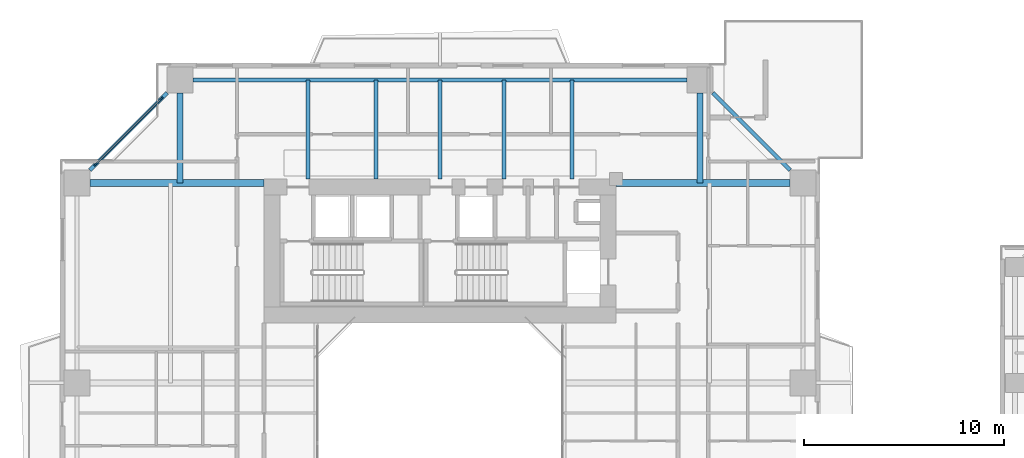
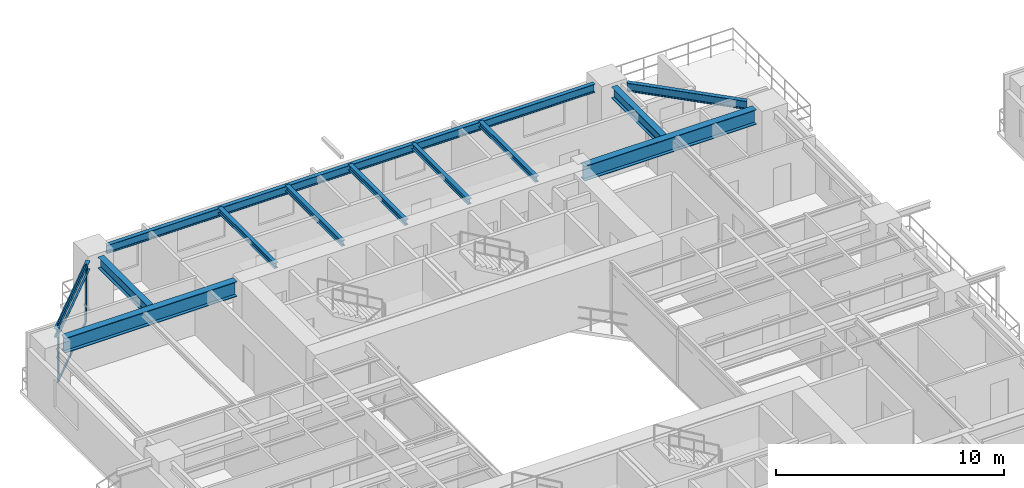
# One storey, part 9 of 23: 12 beams, 4 members, 1 element without a shape of its own.
"""IFC4 building model written with IfcOpenShell, lengths in metres."""

from ifc_helpers import new_model, si_unit, direction, frame, origin, origin_2d, place, context, subcontext, project, spatial, rectangle, i_section, extrude, source, transform, mapped, material, layer, layer_set, material_profile, profile_set, type_object, element, aggregate, save


model = new_model("IFC4")

# Units and contexts
model_context = context("Model", 3, precision=1e-05, world=origin(), true_north=direction((0.0, 1.0)))
body_context = subcontext(model_context, "Body", "Model", "MODEL_VIEW")
ifc_project = project(units=[si_unit("LENGTHUNIT", "METRE"), si_unit("AREAUNIT", "SQUARE_METRE"), si_unit("VOLUMEUNIT", "CUBIC_METRE"), si_unit("PLANEANGLEUNIT", "RADIAN"), si_unit("MASSUNIT", "GRAM", prefix="KILO"), si_unit("THERMODYNAMICTEMPERATUREUNIT", "KELVIN"), si_unit("POWERUNIT", "WATT")], contexts=[model_context])

# Site, building, storey
site_placement = place(None, origin())
site = spatial("IfcSite", under=ifc_project, at=site_placement, CompositionType="ELEMENT")
building_placement = place(site_placement, origin())
building = spatial("IfcBuilding", under=site, at=building_placement, Name="Qiaomeng Ring Towers", CompositionType="ELEMENT")
storey_placement = place(building_placement, frame((0.0, 0.0, 32.75)))
storey = spatial("IfcBuildingStorey", under=building, at=storey_placement, Name="L08", CompositionType="ELEMENT", Elevation=32.75)

# Beams
ifc_material_1 = material(Name="Steel Q355B", Category="steel")
ifc_material_profile_1 = material_profile(ifc_material_1, i_section(OverallWidth=0.199951171875, OverallDepth=0.449951171875, WebThickness=0.009033203125, FlangeThickness=0.013916015625, FilletRadius=0.01806640625, at=origin_2d()), Name="HN 450x200x9x14")
ifc_profile_set_1 = profile_set([ifc_material_profile_1], Name="Steel Q355B")
beam_type_1 = type_object("IfcBeamType", Name="STR-BM-HN450", PredefinedType="SPANDREL", material=ifc_profile_set_1)
shared_shape_1 = source(origin(), body_context, "Body", "SweptSolid", [
    extrude(i_section(OverallWidth=0.199951171875, OverallDepth=0.449951171875, WebThickness=0.009033203125, FlangeThickness=0.013916015625, FilletRadius=0.01806640625, at=origin_2d()), origin(), (0.0, 0.0, 1.0), 24.7021484375),
])
beam_placement = place(storey_placement, frame((31.35107421875, 41.14990234375, 2.844970703125), z_axis=(-1.0, 0.0, 0.0), x_axis=(0.0, -1.0, 0.0)))
element("IfcBeam", 1, at=beam_placement, inside=storey, type_object=beam_type_1, Name="L08 beam STR-SP-L08-T1-N2-N1", PredefinedType="SPANDREL", context=body_context, shape_type="MappedRepresentation", body=[
    mapped(shared_shape_1, transform((0.0, 0.0, 0.0), x_axis=(1.0, 0.0, 0.0), y_axis=(0.0, 1.0, 0.0), z_axis=(0.0, 0.0, 1.0), scale=1.0)),
])
shared_shape_2 = source(origin(), body_context, "Body", "SweptSolid", [
    extrude(i_section(OverallWidth=0.199951171875, OverallDepth=0.449951171875, WebThickness=0.009033203125, FlangeThickness=0.013916015625, FilletRadius=0.01806640625, at=origin_2d()), origin(), (0.0, 0.0, 1.0), 5.446533203125),
])
for number, where, z_axis, x_axis, name in (
    (2, (36.500732421875, 36.6494140625, 2.844970703125), (-0.707106781187, 0.707106781187, 0.0), (-0.707106781187, -0.707106781187, 0.0), "L08 beam STR-SP-L08-T1-E4-N2"),
    (3, (5.3505859375, 40.500732421875, 2.844970703125), (-0.707106781187, -0.707106781187, 0.0), (0.707106781187, -0.707106781187, 0.0), "L08 beam STR-SP-L08-T1-N1-W4"),
):
    element("IfcBeam", number, at=place(storey_placement, frame(where, z_axis=z_axis, x_axis=x_axis)), inside=storey, type_object=beam_type_1, Name=name, PredefinedType="SPANDREL", context=body_context, shape_type="MappedRepresentation", body=[
        mapped(shared_shape_2, transform((0.0, 0.0, 0.0), x_axis=(1.0, 0.0, 0.0), y_axis=(0.0, 1.0, 0.0), z_axis=(0.0, 0.0, 1.0), scale=1.0)),
    ])
ifc_material_2 = material(Name="Steel Q390GJC", Category="steel")
ifc_material_profile_2 = material_profile(ifc_material_2, i_section(OverallWidth=0.35009765625, OverallDepth=0.800048828125, WebThickness=0.01611328125, FlangeThickness=0.028076171875, at=origin_2d()), Name="WH 800x350x16x28")
ifc_profile_set_2 = profile_set([ifc_material_profile_2], Name="Steel Q390GJC")
beam_type_2 = type_object("IfcBeamType", Name="STR-BM-WH800", PredefinedType="BEAM", material=ifc_profile_set_2)
shared_shape_3 = source(origin(), body_context, "Body", "SweptSolid", [
    extrude(i_section(OverallWidth=0.35009765625, OverallDepth=0.800048828125, WebThickness=0.01611328125, FlangeThickness=0.028076171875, at=origin_2d()), origin(), (0.0, 0.0, 1.0), 8.700927734375),
])
for number, where, z_axis, x_axis, name in (
    (4, (1.4990234375, 36.0, 2.669921875), (1.0, 0.0, 0.0), (0.0, 1.0, 0.0), "L08 beam STR-BM-L08-T1-RAD-W4"),
    (5, (27.800048828125, 36.0, 2.669921875), (1.0, 0.0, 0.0), (0.0, 1.0, 0.0), "L08 beam STR-BM-L08-T1-RAD-E4"),
):
    element("IfcBeam", number, at=place(storey_placement, frame(where, z_axis=z_axis, x_axis=x_axis)), inside=storey, type_object=beam_type_2, Name=name, PredefinedType="BEAM", context=body_context, shape_type="MappedRepresentation", body=[
        mapped(shared_shape_3, transform((0.0, 0.0, 0.0), x_axis=(1.0, 0.0, 0.0), y_axis=(0.0, 1.0, 0.0), z_axis=(0.0, 0.0, 1.0), scale=1.0)),
    ])
ifc_material_profile_3 = material_profile(ifc_material_1, i_section(OverallWidth=0.300048828125, OverallDepth=0.587890625, WebThickness=0.011962890625, FlangeThickness=0.02001953125, FilletRadius=0.028076171875, at=origin_2d()), Name="HM 588x300x12x20")
ifc_profile_set_3 = profile_set([ifc_material_profile_3], Name="Steel Q355B")
beam_type_3 = type_object("IfcBeamType", Name="STR-BM-HM588", PredefinedType="BEAM", material=ifc_profile_set_3)
shared_shape_4 = source(origin(), body_context, "Body", "SweptSolid", [
    extrude(i_section(OverallWidth=0.300048828125, OverallDepth=0.587890625, WebThickness=0.011962890625, FlangeThickness=0.02001953125, FilletRadius=0.028076171875, at=origin_2d()), origin(), (0.0, 0.0, 1.0), 4.5009765625),
])
for number, where, z_axis, x_axis, name in (
    (6, (6.0, 40.5009765625, 2.77587890625), (0.0, -1.0, 0.0), (1.0, 0.0, 0.0), "L08 beam STR-BM-L08-T1-RAD-N1"),
    (7, (32.0, 40.5009765625, 2.77587890625), (0.0, -1.0, 0.0), (1.0, 0.0, 0.0), "L08 beam STR-BM-L08-T1-RAD-N2"),
):
    element("IfcBeam", number, at=place(storey_placement, frame(where, z_axis=z_axis, x_axis=x_axis)), inside=storey, type_object=beam_type_3, Name=name, PredefinedType="BEAM", context=body_context, shape_type="MappedRepresentation", body=[
        mapped(shared_shape_4, transform((0.0, 0.0, 0.0), x_axis=(1.0, 0.0, 0.0), y_axis=(0.0, 1.0, 0.0), z_axis=(0.0, 0.0, 1.0), scale=1.0)),
    ])
ifc_material_profile_4 = material_profile(ifc_material_1, i_section(OverallWidth=0.199951171875, OverallDepth=0.2939453125, WebThickness=0.008056640625, FlangeThickness=0.011962890625, FilletRadius=0.01806640625, at=origin_2d()), Name="HM 294x200x8x12")
ifc_profile_set_4 = profile_set([ifc_material_profile_4], Name="Steel Q355B")
beam_type_4 = type_object("IfcBeamType", Name="STR-BM-HM294", PredefinedType="JOIST", material=ifc_profile_set_4)
shared_shape_5 = source(origin(), body_context, "Body", "SweptSolid", [
    extrude(i_section(OverallWidth=0.199951171875, OverallDepth=0.2939453125, WebThickness=0.008056640625, FlangeThickness=0.011962890625, FilletRadius=0.01806640625, at=origin_2d()), origin(), (0.0, 0.0, 1.0), 4.949951171875),
])
for number, where, z_axis, x_axis, name in (
    (8, (12.39990234375, 36.199951171875, 2.923095703125), (0.0, 1.0, 0.0), (-1.0, 0.0, 0.0), "L08 beam STR-JST-L08-T1N-1"),
    (9, (15.800048828125, 36.199951171875, 2.923095703125), (0.0, 1.0, 0.0), (-1.0, 0.0, 0.0), "L08 beam STR-JST-L08-T1N-2"),
    (10, (19.0, 36.199951171875, 2.923095703125), (0.0, 1.0, 0.0), (-1.0, 0.0, 0.0), "L08 beam STR-JST-L08-T1N-3"),
    (11, (22.199951171875, 36.199951171875, 2.923095703125), (0.0, 1.0, 0.0), (-1.0, 0.0, 0.0), "L08 beam STR-JST-L08-T1N-4"),
    (12, (25.60009765625, 36.199951171875, 2.923095703125), (0.0, 1.0, 0.0), (-1.0, 0.0, 0.0), "L08 beam STR-JST-L08-T1N-5"),
):
    element("IfcBeam", number, at=place(storey_placement, frame(where, z_axis=z_axis, x_axis=x_axis)), inside=storey, type_object=beam_type_4, Name=name, PredefinedType="JOIST", context=body_context, shape_type="MappedRepresentation", body=[
        mapped(shared_shape_5, transform((0.0, 0.0, 0.0), x_axis=(1.0, 0.0, 0.0), y_axis=(0.0, 1.0, 0.0), z_axis=(0.0, 0.0, 1.0), scale=1.0)),
    ])

# Curtain wall, members
ifc_material_3 = material(Name="Fluorocarbon dark-grey aluminium", Category="aluminium")
ifc_layer = layer(ifc_material_3, 0.159912109375, Name="Fluorocarbon dark-grey aluminium")
ifc_layer_set = layer_set([ifc_layer], Name="Fluorocarbon dark-grey aluminium")
curtain_wall_type = type_object("IfcCurtainWallType", Name="ARC-CW-2", PredefinedType="NOTDEFINED", material=ifc_layer_set)
curtain_wall_placement = place(storey_placement, origin())
curtain_wall = element("IfcCurtainWall", 13, at=curtain_wall_placement, inside=storey, type_object=curtain_wall_type, Name="L08 Curtain Wall CW2", PredefinedType="NOTDEFINED")
ifc_material_profile_5 = material_profile(ifc_material_3, rectangle(XDim=0.070068359375, YDim=0.179931640625, at=origin_2d()), Name="ALU MULL 70x180")
ifc_profile_set_5 = profile_set([ifc_material_profile_5], Name="Fluorocarbon dark-grey aluminium")
member_type_1 = type_object("IfcMemberType", Name="ARC-CWM-160", PredefinedType="MULLION", material=ifc_profile_set_5)
shared_shape_6 = source(origin(), body_context, "Body", "SweptSolid", [
    extrude(rectangle(XDim=0.070068359375, YDim=0.179931640625, at=origin_2d()), origin(), (0.0, 0.0, 1.0), 3.070068359375),
])
member_1_placement = place(storey_placement, frame((5.085205078125, 40.2353515625, 0.0), z_axis=(0.0, 0.0, 1.0), x_axis=(0.707106781187, -0.707106781187, 0.0)))
member_1 = element("IfcMember", 14, at=member_1_placement, type_object=member_type_1, Name="CW2 mullion 1", PredefinedType="MULLION", context=body_context, shape_type="MappedRepresentation", body=[
    mapped(shared_shape_6, transform((0.0, 0.0, 0.0), x_axis=(1.0, 0.0, 0.0), y_axis=(0.0, 1.0, 0.0), z_axis=(0.0, 0.0, 1.0), scale=1.0)),
])
member_2_placement = place(storey_placement, frame((1.7646484375, 36.914794921875, 0.0), z_axis=(0.0, 0.0, 1.0), x_axis=(0.707106781187, -0.707106781187, 0.0)))
member_2 = element("IfcMember", 15, at=member_2_placement, type_object=member_type_1, Name="CW2 mullion 2", PredefinedType="MULLION", context=body_context, shape_type="MappedRepresentation", body=[
    mapped(shared_shape_6, transform((0.0, 0.0, 0.0), x_axis=(1.0, 0.0, 0.0), y_axis=(0.0, 1.0, 0.0), z_axis=(0.0, 0.0, 1.0), scale=1.0)),
])
ifc_material_profile_6 = material_profile(ifc_material_3, rectangle(XDim=0.06494140625, YDim=0.1298828125, at=origin_2d()), Name="ALU TRAN 65x130")
ifc_profile_set_6 = profile_set([ifc_material_profile_6], Name="Fluorocarbon dark-grey aluminium")
member_type_2 = type_object("IfcMemberType", Name="ARC-CWT-120", PredefinedType="USERDEFINED", material=ifc_profile_set_6)
shared_shape_7 = source(origin(), body_context, "Body", "SweptSolid", [
    extrude(rectangle(XDim=0.06494140625, YDim=0.1298828125, at=origin_2d()), origin(), (0.0, 0.0, 1.0), 4.6259765625),
])
member_3_placement = place(storey_placement, frame((5.060546875, 40.21044921875, 0.032470703125), z_axis=(-0.707106781187, -0.707106781187, 0.0), x_axis=(0.707106781187, -0.707106781187, 0.0)))
member_3 = element("IfcMember", 16, at=member_3_placement, type_object=member_type_2, Name="CW2 transom 1.1", ObjectType="TRANSOM", PredefinedType="USERDEFINED", context=body_context, shape_type="MappedRepresentation", body=[
    mapped(shared_shape_7, transform((0.0, 0.0, 0.0), x_axis=(1.0, 0.0, 0.0), y_axis=(0.0, 1.0, 0.0), z_axis=(0.0, 0.0, 1.0), scale=1.0)),
])
member_4_placement = place(storey_placement, frame((5.060546875, 40.21044921875, 3.03759765625), z_axis=(-0.707106781187, -0.707106781187, 0.0), x_axis=(0.707106781187, -0.707106781187, 0.0)))
member_4 = element("IfcMember", 17, at=member_4_placement, type_object=member_type_2, Name="CW2 transom 1.2", ObjectType="TRANSOM", PredefinedType="USERDEFINED", context=body_context, shape_type="MappedRepresentation", body=[
    mapped(shared_shape_7, transform((0.0, 0.0, 0.0), x_axis=(1.0, 0.0, 0.0), y_axis=(0.0, 1.0, 0.0), z_axis=(0.0, 0.0, 1.0), scale=1.0)),
])
aggregate(curtain_wall, [member_1, member_2, member_3, member_4])

save(model, "model.ifc")
